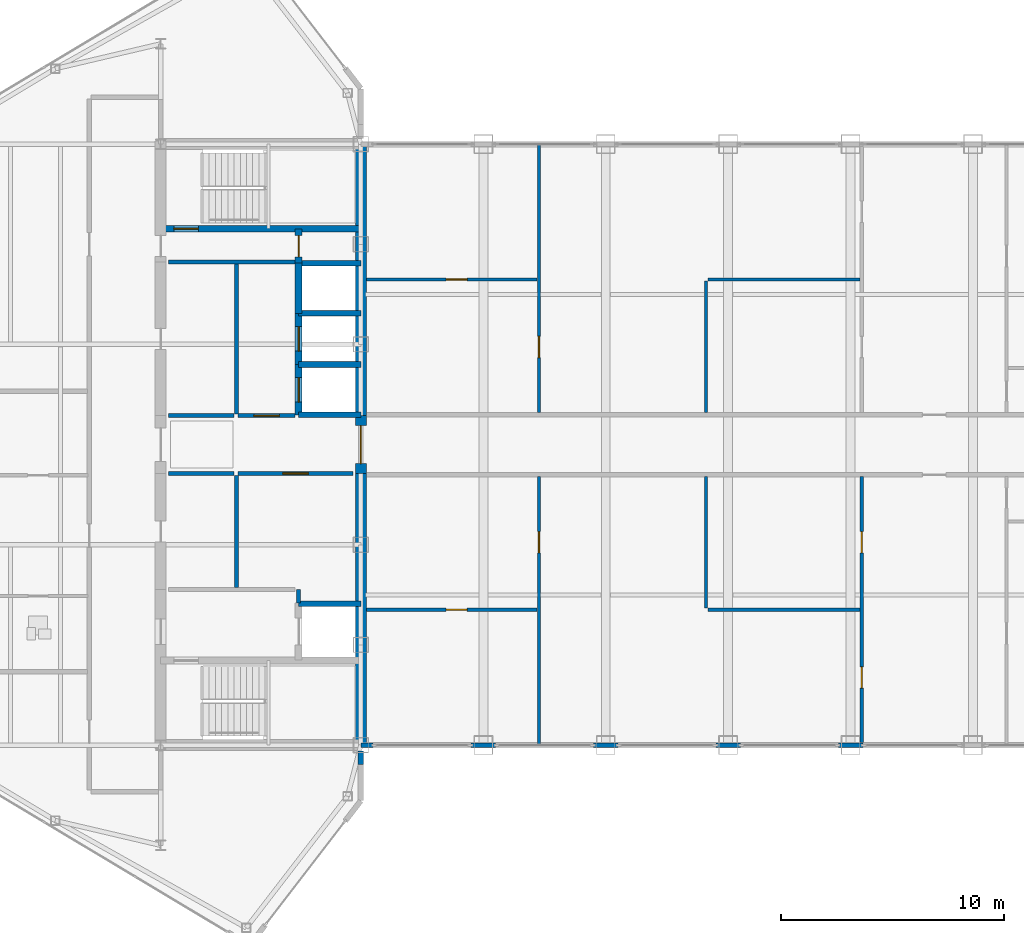
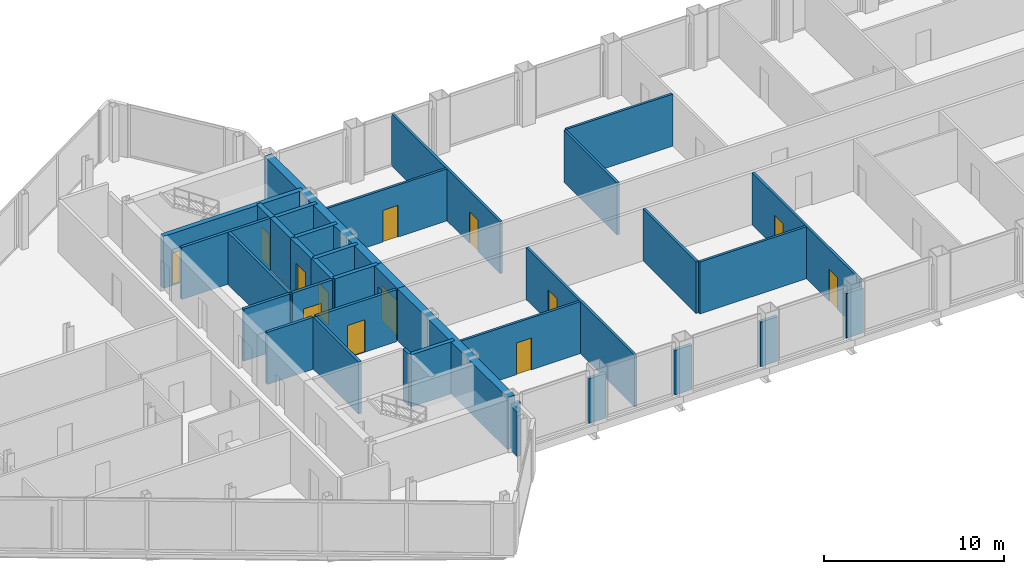
# One storey, part 22 of 29: 36 walls, 13 doors, 13 openings.
"""IFC4 building model written with IfcOpenShell, lengths in metres."""

from ifc_helpers import new_model, si_unit, direction, frame, frame_2d, origin, place, context, subcontext, project, spatial, rectangle, extrude, source, transform, mapped, material, layer, layer_set, type_object, type_shapes, element, fill, save


model = new_model("IFC4")

# Units and contexts
model_context = context("Model", 3, precision=1e-05, world=origin(), true_north=direction((0.0, 1.0)))
body_context = subcontext(model_context, "Body", "Model", "MODEL_VIEW")
ifc_project = project(units=[si_unit("LENGTHUNIT", "METRE"), si_unit("AREAUNIT", "SQUARE_METRE"), si_unit("VOLUMEUNIT", "CUBIC_METRE"), si_unit("PLANEANGLEUNIT", "RADIAN"), si_unit("MASSUNIT", "GRAM", prefix="KILO")], contexts=[model_context])

# Site, building, storey
site_placement = place(None, origin())
site = spatial("IfcSite", under=ifc_project, at=site_placement, CompositionType="ELEMENT")
building_placement = place(site_placement, origin())
building = spatial("IfcBuilding", under=site, at=building_placement, Name="Seokmaru Belvedere", CompositionType="ELEMENT")
storey_placement = place(building_placement, frame((0.0, 0.0, 246.89990234375)))
storey = spatial("IfcBuildingStorey", under=building, at=storey_placement, Name="L65", CompositionType="ELEMENT", Elevation=246.89990234375)

# Wall, opening, door
ifc_material_1 = material(Name="Fire-Rated Gypsum Shaftwall")
ifc_layer_1 = layer(ifc_material_1, 0.14990234375)
ifc_layer_set_1 = layer_set([ifc_layer_1], Name="Fire-Rated Gypsum Shaftwall")
wall_type_1 = type_object("IfcWallType", Name="Apartment Fire-Acoustic Room Partition 150", PredefinedType="PARTITIONING", material=ifc_layer_set_1)
wall_1_placement = place(storey_placement, frame((-27.2451171875, -7.419921875, 0.0), z_axis=(0.0, 0.0, 1.0), x_axis=(1.0, 0.0, 0.0)))
wall_1 = element("IfcWall", 1, at=wall_1_placement, inside=storey, type_object=wall_type_1, Name="L65 Interior Partition 005", PredefinedType="PARTITIONING", context=body_context, shape_type="SweptSolid", body=[
    extrude(rectangle(XDim=7.66015625, YDim=0.14990234375, at=frame_2d((3.830078125, 0.0))), origin(), (0.0, 0.0, 1.0), 3.530029296875),
])
opening_1_placement = place(wall_1_placement, frame((3.570068359375, 0.0, 0.0)))
opening_1 = element("IfcOpeningElement", 2, at=opening_1_placement, cuts=wall_1, Name="Opening D05", PredefinedType="OPENING", context=body_context, shape_type="SweptSolid", body=[
    extrude(rectangle(XDim=0.949951171875, YDim=2.14990234375, at=frame_2d((0.47509765625, 1.074951171875))), frame((0.0, 0.0849609375, 0.0), z_axis=(0.0, -1.0, 0.0), x_axis=(1.0, 0.0, 0.0)), (0.0, 0.0, 1.0), 0.169921875),
])
ifc_material_2 = material(Name="Engineered White Oak Timber", Category="wood")
door_type_1 = type_object("IfcDoorType", Name="Apartment Interior Fire-Rated Oak Door 950x2150", OperationType="NOTDEFINED", PredefinedType="DOOR", material=ifc_material_2)
shared_shape_1 = source(origin(), body_context, "Body", "SweptSolid", [
    extrude(rectangle(XDim=0.949951171875, YDim=2.14990234375, at=frame_2d((0.47509765625, 1.074951171875))), frame((0.0, 0.02490234375, 0.0), z_axis=(0.0, -1.0, 0.0), x_axis=(1.0, 0.0, 0.0)), (0.0, 0.0, 1.0), 0.050048828125),
])
type_shapes(door_type_1, [shared_shape_1])
door_1_placement = place(opening_1_placement, origin())
door_1 = element("IfcDoor", 3, at=door_1_placement, inside=storey, type_object=door_type_1, Name="L65 Interior Door 032", OperationType="SINGLE_SWING_RIGHT", OverallHeight=2.14990234375, OverallWidth=0.949951171875, PredefinedType="DOOR", context=body_context, shape_type="MappedRepresentation", body=[
    mapped(shared_shape_1, transform((0.0, 0.0, 0.0), scale=1.0)),
])
fill(opening_1, door_1)

# Wall
wall_2_placement = place(storey_placement, frame((-11.9150390625, -7.419921875, 0.0), z_axis=(0.0, 0.0, 1.0), x_axis=(1.0, 0.0, 0.0)))
element("IfcWall", 4, at=wall_2_placement, inside=storey, type_object=wall_type_1, Name="L65 Interior Partition 006", PredefinedType="PARTITIONING", context=body_context, shape_type="SweptSolid", body=[
    extrude(rectangle(XDim=6.830078125, YDim=0.14990234375, at=frame_2d((3.4150390625, 0.0))), origin(), (0.0, 0.0, 1.0), 3.530029296875),
])

# Wall, opening, door
wall_3_placement = place(storey_placement, frame((-27.2451171875, 7.419921875, 0.0), z_axis=(0.0, 0.0, 1.0), x_axis=(1.0, 0.0, 0.0)))
wall_3 = element("IfcWall", 5, at=wall_3_placement, inside=storey, type_object=wall_type_1, Name="L65 Interior Partition 022", PredefinedType="PARTITIONING", context=body_context, shape_type="SweptSolid", body=[
    extrude(rectangle(XDim=7.66015625, YDim=0.14990234375, at=frame_2d((3.830078125, 0.0))), origin(), (0.0, 0.0, 1.0), 3.530029296875),
])
opening_2_placement = place(wall_3_placement, frame((3.570068359375, 0.0, 0.0)))
opening_2 = element("IfcOpeningElement", 6, at=opening_2_placement, cuts=wall_3, Name="Opening D05", PredefinedType="OPENING", context=body_context, shape_type="SweptSolid", body=[
    extrude(rectangle(XDim=0.949951171875, YDim=2.14990234375, at=frame_2d((0.47509765625, 1.074951171875))), frame((0.0, 0.0849609375, 0.0), z_axis=(0.0, -1.0, 0.0), x_axis=(1.0, 0.0, 0.0)), (0.0, 0.0, 1.0), 0.169921875),
])
door_2_placement = place(opening_2_placement, origin())
door_2 = element("IfcDoor", 7, at=door_2_placement, inside=storey, type_object=door_type_1, Name="L65 Interior Door 043", OperationType="SINGLE_SWING_RIGHT", OverallHeight=2.14990234375, OverallWidth=0.949951171875, PredefinedType="DOOR", context=body_context, shape_type="MappedRepresentation", body=[
    mapped(shared_shape_1, transform((0.0, 0.0, 0.0), scale=1.0)),
])
fill(opening_2, door_2)

# Wall
wall_4_placement = place(storey_placement, frame((-11.9150390625, 7.419921875, 0.0), z_axis=(0.0, 0.0, 1.0), x_axis=(1.0, 0.0, 0.0)))
element("IfcWall", 8, at=wall_4_placement, inside=storey, type_object=wall_type_1, Name="L65 Interior Partition 023", PredefinedType="PARTITIONING", context=body_context, shape_type="SweptSolid", body=[
    extrude(rectangle(XDim=6.830078125, YDim=0.14990234375, at=frame_2d((3.4150390625, 0.0))), origin(), (0.0, 0.0, 1.0), 3.530029296875),
])

# Wall, opening, door
wall_5_placement = place(storey_placement, frame((-19.5, -13.5, 0.0), z_axis=(0.0, 0.0, 1.0), x_axis=(0.0, 1.0, 0.0)))
wall_5 = element("IfcWall", 9, at=wall_5_placement, inside=storey, type_object=wall_type_1, Name="L65 Interior Partition 034", PredefinedType="PARTITIONING", context=body_context, shape_type="SweptSolid", body=[
    extrude(rectangle(XDim=12.06494140625, YDim=0.14990234375, at=frame_2d((6.032470703125, 0.0))), origin(), (0.0, 0.0, 1.0), 3.530029296875),
])
opening_3_placement = place(wall_5_placement, frame((8.637451171875, 0.0, 0.0)))
opening_3 = element("IfcOpeningElement", 10, at=opening_3_placement, cuts=wall_5, Name="Opening D05", PredefinedType="OPENING", context=body_context, shape_type="SweptSolid", body=[
    extrude(rectangle(XDim=0.949951171875, YDim=2.14990234375, at=frame_2d((0.47509765625, 1.074951171875))), frame((0.0, 0.0849609375, 0.0), z_axis=(0.0, -1.0, 0.0), x_axis=(1.0, 0.0, 0.0)), (0.0, 0.0, 1.0), 0.169921875),
])
door_3_placement = place(opening_3_placement, origin())
door_3 = element("IfcDoor", 11, at=door_3_placement, inside=storey, type_object=door_type_1, Name="L65 Interior Door 031", OperationType="SINGLE_SWING_LEFT", OverallHeight=2.14990234375, OverallWidth=0.949951171875, PredefinedType="DOOR", context=body_context, shape_type="MappedRepresentation", body=[
    mapped(shared_shape_1, transform((0.0, 0.0, 0.0), scale=1.0)),
])
fill(opening_3, door_3)

wall_6_placement = place(storey_placement, frame((-19.5, 1.43505859375, 0.0), z_axis=(0.0, 0.0, 1.0), x_axis=(0.0, 1.0, 0.0)))
wall_6 = element("IfcWall", 12, at=wall_6_placement, inside=storey, type_object=wall_type_1, Name="L65 Interior Partition 035", PredefinedType="PARTITIONING", context=body_context, shape_type="SweptSolid", body=[
    extrude(rectangle(XDim=12.06494140625, YDim=0.14990234375, at=frame_2d((6.032470703125, 0.0))), origin(), (0.0, 0.0, 1.0), 3.530029296875),
])
opening_4_placement = place(wall_6_placement, frame((2.4775390625, 0.0, 0.0)))
opening_4 = element("IfcOpeningElement", 13, at=opening_4_placement, cuts=wall_6, Name="Opening D05", PredefinedType="OPENING", context=body_context, shape_type="SweptSolid", body=[
    extrude(rectangle(XDim=0.949951171875, YDim=2.14990234375, at=frame_2d((0.47509765625, 1.074951171875))), frame((0.0, 0.0849609375, 0.0), z_axis=(0.0, -1.0, 0.0), x_axis=(1.0, 0.0, 0.0)), (0.0, 0.0, 1.0), 0.169921875),
])
door_4_placement = place(opening_4_placement, origin())
door_4 = element("IfcDoor", 14, at=door_4_placement, inside=storey, type_object=door_type_1, Name="L65 Interior Door 042", OperationType="SINGLE_SWING_LEFT", OverallHeight=2.14990234375, OverallWidth=0.949951171875, PredefinedType="DOOR", context=body_context, shape_type="MappedRepresentation", body=[
    mapped(shared_shape_1, transform((0.0, 0.0, 0.0), scale=1.0)),
])
fill(opening_4, door_4)

# Walls
for number, where, z_axis, x_axis, name in (
    (15, (-12.0, -7.340087890625, 0.0), (0.0, 0.0, 1.0), (0.0, 1.0, 0.0), "L65 Interior Partition 036"),
    (16, (-12.0, 1.43505859375, 0.0), (0.0, 0.0, 1.0), (0.0, 1.0, 0.0), "L65 Interior Partition 037"),
):
    element("IfcWall", number, at=place(storey_placement, frame(where, z_axis=z_axis, x_axis=x_axis)), inside=storey, type_object=wall_type_1, Name=name, PredefinedType="PARTITIONING", context=body_context, shape_type="SweptSolid", body=[
        extrude(rectangle(XDim=5.905029296875, YDim=0.14990234375, at=frame_2d((2.95263671875, 0.0))), origin(), (0.0, 0.0, 1.0), 3.530029296875),
    ])

# Wall, openings, doors
wall_7_placement = place(storey_placement, frame((-5.0, -13.389892578125, 0.0), z_axis=(0.0, 0.0, 1.0), x_axis=(0.0, 1.0, 0.0)))
wall_7 = element("IfcWall", 17, at=wall_7_placement, inside=storey, type_object=wall_type_1, Name="L65 Interior Partition 038", PredefinedType="PARTITIONING", context=body_context, shape_type="SweptSolid", body=[
    extrude(rectangle(XDim=11.954833984375, YDim=0.14990234375, at=frame_2d((5.9775390625, 0.0))), origin(), (0.0, 0.0, 1.0), 3.530029296875),
])
opening_5_placement = place(wall_7_placement, frame((8.527587890625, 0.0, 0.0)))
opening_5 = element("IfcOpeningElement", 18, at=opening_5_placement, cuts=wall_7, Name="Opening D05", PredefinedType="OPENING", context=body_context, shape_type="SweptSolid", body=[
    extrude(rectangle(XDim=0.949951171875, YDim=2.14990234375, at=frame_2d((0.47509765625, 1.074951171875))), frame((0.0, 0.0849609375, 0.0), z_axis=(0.0, -1.0, 0.0), x_axis=(1.0, 0.0, 0.0)), (0.0, 0.0, 1.0), 0.169921875),
])
opening_6_placement = place(wall_7_placement, frame((2.452392578125, 0.0, 0.0)))
opening_6 = element("IfcOpeningElement", 19, at=opening_6_placement, cuts=wall_7, Name="Opening D05", PredefinedType="OPENING", context=body_context, shape_type="SweptSolid", body=[
    extrude(rectangle(XDim=0.949951171875, YDim=2.14990234375, at=frame_2d((0.47509765625, 1.074951171875))), frame((0.0, 0.0849609375, 0.0), z_axis=(0.0, -1.0, 0.0), x_axis=(1.0, 0.0, 0.0)), (0.0, 0.0, 1.0), 0.169921875),
])
door_5_placement = place(opening_5_placement, origin())
door_5 = element("IfcDoor", 20, at=door_5_placement, inside=storey, type_object=door_type_1, Name="L65 Interior Door 029", OperationType="SINGLE_SWING_LEFT", OverallHeight=2.14990234375, OverallWidth=0.949951171875, PredefinedType="DOOR", context=body_context, shape_type="MappedRepresentation", body=[
    mapped(shared_shape_1, transform((0.0, 0.0, 0.0), scale=1.0)),
])
fill(opening_5, door_5)
door_6_placement = place(opening_6_placement, origin())
door_6 = element("IfcDoor", 21, at=door_6_placement, inside=storey, type_object=door_type_1, Name="L65 Interior Door 030", OperationType="SINGLE_SWING_RIGHT", OverallHeight=2.14990234375, OverallWidth=0.949951171875, PredefinedType="DOOR", context=body_context, shape_type="MappedRepresentation", body=[
    mapped(shared_shape_1, transform((0.0, 0.0, 0.0), scale=1.0)),
])
fill(opening_6, door_6)

# Walls
ifc_material_3 = material(Name="Anodised Bronze Aluminium", Category="aluminium")
ifc_layer_2 = layer(ifc_material_3, 0.2099609375)
ifc_layer_set_2 = layer_set([ifc_layer_2], Name="Anodised Bronze Aluminium")
wall_type_2 = type_object("IfcWallType", Name="Bridge Column Spandrel Closure Pier 210", PredefinedType="SOLIDWALL", material=ifc_layer_set_2)
wall_8_placement = place(storey_placement, frame((-27.489990234375, -13.5, 0.0), z_axis=(0.0, 0.0, 1.0), x_axis=(1.0, 0.0, 0.0)))
element("IfcWall", 22, at=wall_8_placement, inside=storey, type_object=wall_type_2, Name="L65 Bridge South Column Closure Pier 01", PredefinedType="SOLIDWALL", context=body_context, shape_type="SweptSolid", body=[
    extrude(rectangle(XDim=0.5400390625, YDim=0.2099609375, at=frame_2d((0.27001953125, 0.0))), origin(), (0.0, 0.0, 1.0), 3.030029296875),
])
for number, where, z_axis, x_axis, name in (
    (23, (-22.550048828125, -13.5, 0.0), (0.0, 0.0, 1.0), (1.0, 0.0, 0.0), "L65 Bridge South Column Closure Pier 02"),
    (24, (-17.050048828125, -13.5, 0.0), (0.0, 0.0, 1.0), (1.0, 0.0, 0.0), "L65 Bridge South Column Closure Pier 03"),
    (25, (-11.550048828125, -13.5, 0.0), (0.0, 0.0, 1.0), (1.0, 0.0, 0.0), "L65 Bridge South Column Closure Pier 04"),
    (26, (-6.050048828125, -13.5, 0.0), (0.0, 0.0, 1.0), (1.0, 0.0, 0.0), "L65 Bridge South Column Closure Pier 05"),
):
    element("IfcWall", number, at=place(storey_placement, frame(where, z_axis=z_axis, x_axis=x_axis)), inside=storey, type_object=wall_type_2, Name=name, PredefinedType="SOLIDWALL", context=body_context, shape_type="SweptSolid", body=[
        extrude(rectangle(XDim=1.10009765625, YDim=0.2099609375, at=frame_2d((0.550048828125, 0.0))), origin(), (0.0, 0.0, 1.0), 3.030029296875),
    ])
ifc_layer_3 = layer(ifc_material_1, 0.179931640625)
ifc_layer_set_3 = layer_set([ifc_layer_3], Name="Fire-Rated Gypsum Shaftwall")
wall_type_3 = type_object("IfcWallType", Name="Core Service Fire Partition 180", PredefinedType="PARTITIONING", material=ifc_layer_set_3)
wall_9_placement = place(storey_placement, frame((-30.300048828125, -7.1201171875, 0.0), z_axis=(0.0, 0.0, 1.0), x_axis=(0.0, 1.0, 0.0)))
element("IfcWall", 27, at=wall_9_placement, inside=storey, type_object=wall_type_3, Name="L65 West Firefighting Lobby East Closure Wall", PredefinedType="PARTITIONING", context=body_context, shape_type="SweptSolid", body=[
    extrude(rectangle(XDim=0.6201171875, YDim=0.179931640625, at=frame_2d((0.31005859375, 0.0))), origin(), (0.0, 0.0, 1.0), 3.530029296875),
])
wall_10_placement = place(storey_placement, frame((-36.14990234375, 8.199951171875, 0.0), z_axis=(0.0, 0.0, 1.0), x_axis=(1.0, 0.0, 0.0)))
element("IfcWall", 28, at=wall_10_placement, inside=storey, type_object=wall_type_3, Name="L65 West Smokeproof Vestibule Partition", PredefinedType="PARTITIONING", context=body_context, shape_type="SweptSolid", body=[
    extrude(rectangle(XDim=5.699951171875, YDim=0.179931640625, at=frame_2d((2.85009765625, 0.0))), origin(), (0.0, 0.0, 1.0), 3.530029296875),
])
wall_11_placement = place(storey_placement, frame((-33.10009765625, -6.419921875, 0.0), z_axis=(0.0, 0.0, 1.0), x_axis=(0.0, 1.0, 0.0)))
element("IfcWall", 29, at=wall_11_placement, inside=storey, type_object=wall_type_3, Name="L65 West South Core Service Back Wall", PredefinedType="PARTITIONING", context=body_context, shape_type="SweptSolid", body=[
    extrude(rectangle(XDim=5.0400390625, YDim=0.179931640625, at=frame_2d((2.52001953125, 0.0))), origin(), (0.0, 0.0, 1.0), 3.530029296875),
])
wall_12_placement = place(storey_placement, frame((-33.10009765625, 1.3798828125, 0.0), z_axis=(0.0, 0.0, 1.0), x_axis=(0.0, 1.0, 0.0)))
element("IfcWall", 30, at=wall_12_placement, inside=storey, type_object=wall_type_3, Name="L65 West North Core Service Back Wall", PredefinedType="PARTITIONING", context=body_context, shape_type="SweptSolid", body=[
    extrude(rectangle(XDim=6.740234375, YDim=0.179931640625, at=frame_2d((3.3701171875, 0.0))), origin(), (0.0, 0.0, 1.0), 3.530029296875),
])

# Wall, opening, door
wall_13_placement = place(storey_placement, frame((-33.02001953125, -1.300048828125, 0.0), z_axis=(0.0, 0.0, 1.0), x_axis=(1.0, 0.0, 0.0)))
wall_13 = element("IfcWall", 31, at=wall_13_placement, inside=storey, type_object=wall_type_3, Name="L65 West South Lift Lobby Foyer Wall", PredefinedType="PARTITIONING", context=body_context, shape_type="SweptSolid", body=[
    extrude(rectangle(XDim=5.169921875, YDim=0.179931640625, at=frame_2d((2.5849609375, 0.0))), origin(), (0.0, 0.0, 1.0), 3.530029296875),
])
opening_7_placement = place(wall_13_placement, frame((2.010009765625, 0.0, 0.0)))
opening_7 = element("IfcOpeningElement", 32, at=opening_7_placement, cuts=wall_13, Name="Opening D02", PredefinedType="OPENING", context=body_context, shape_type="SweptSolid", body=[
    extrude(rectangle(XDim=1.14990234375, YDim=2.199951171875, at=frame_2d((0.574951171875, 1.10009765625))), frame((0.0, 0.10009765625, 0.0), z_axis=(0.0, -1.0, 0.0), x_axis=(1.0, 0.0, 0.0)), (0.0, 0.0, 1.0), 0.199951171875),
])
ifc_material_4 = material(Name="Fire-Rated Steel Leaf", Category="steel")
door_type_2 = type_object("IfcDoorType", Name="Lobby and Vestibule Fire Door 1150x2200", OperationType="NOTDEFINED", PredefinedType="DOOR", material=ifc_material_4)
shared_shape_2 = source(origin(), body_context, "Body", "SweptSolid", [
    extrude(rectangle(XDim=1.14990234375, YDim=2.199951171875, at=frame_2d((0.574951171875, 1.10009765625))), frame((0.0, 0.02490234375, 0.0), z_axis=(0.0, -1.0, 0.0), x_axis=(1.0, 0.0, 0.0)), (0.0, 0.0, 1.0), 0.050048828125),
])
type_shapes(door_type_2, [shared_shape_2])
door_7_placement = place(opening_7_placement, origin())
door_7 = element("IfcDoor", 33, at=door_7_placement, inside=storey, type_object=door_type_2, Name="L65 West South Core Foyer Door", OperationType="SINGLE_SWING_LEFT", OverallHeight=2.199951171875, OverallWidth=1.14990234375, PredefinedType="DOOR", context=body_context, shape_type="MappedRepresentation", body=[
    mapped(shared_shape_2, transform((0.0, 0.0, 0.0), scale=1.0)),
])
fill(opening_7, door_7)

wall_14_placement = place(storey_placement, frame((-33.02001953125, 1.300048828125, 0.0), z_axis=(0.0, 0.0, 1.0), x_axis=(1.0, 0.0, 0.0)))
wall_14 = element("IfcWall", 34, at=wall_14_placement, inside=storey, type_object=wall_type_3, Name="L65 West North Lift Lobby Foyer Wall", PredefinedType="PARTITIONING", context=body_context, shape_type="SweptSolid", body=[
    extrude(rectangle(XDim=2.570068359375, YDim=0.179931640625, at=frame_2d((1.28515625, 0.0))), origin(), (0.0, 0.0, 1.0), 3.530029296875),
])
opening_8_placement = place(wall_14_placement, frame((0.7099609375, 0.0, 0.0)))
opening_8 = element("IfcOpeningElement", 35, at=opening_8_placement, cuts=wall_14, Name="Opening D02", PredefinedType="OPENING", context=body_context, shape_type="SweptSolid", body=[
    extrude(rectangle(XDim=1.14990234375, YDim=2.199951171875, at=frame_2d((0.574951171875, 1.10009765625))), frame((0.0, 0.10009765625, 0.0), z_axis=(0.0, -1.0, 0.0), x_axis=(1.0, 0.0, 0.0)), (0.0, 0.0, 1.0), 0.199951171875),
])
door_8_placement = place(opening_8_placement, origin())
door_8 = element("IfcDoor", 36, at=door_8_placement, inside=storey, type_object=door_type_2, Name="L65 West North Lift Lobby Door", OperationType="SINGLE_SWING_RIGHT", OverallHeight=2.199951171875, OverallWidth=1.14990234375, PredefinedType="DOOR", context=body_context, shape_type="MappedRepresentation", body=[
    mapped(shared_shape_2, transform((0.0, 0.0, 0.0), scale=1.0)),
])
fill(opening_8, door_8)

# Walls
for number, where, z_axis, x_axis, name in (
    (37, (-36.14990234375, -1.300048828125, 0.0), (0.0, 0.0, 1.0), (1.0, 0.0, 0.0), "L65 West Foyer Side Wall S"),
    (38, (-36.14990234375, 1.300048828125, 0.0), (0.0, 0.0, 1.0), (1.0, 0.0, 0.0), "L65 West Foyer Side Wall N"),
):
    element("IfcWall", number, at=place(storey_placement, frame(where, z_axis=z_axis, x_axis=x_axis)), inside=storey, type_object=wall_type_3, Name=name, PredefinedType="PARTITIONING", context=body_context, shape_type="SweptSolid", body=[
        extrude(rectangle(XDim=2.949951171875, YDim=0.179931640625, at=frame_2d((1.47509765625, 0.0))), origin(), (0.0, 0.0, 1.0), 3.530029296875),
    ])
ifc_material_5 = material(Name="Concrete C50 (50 MPa)", Category="concrete")
ifc_layer_4 = layer(ifc_material_5, 0.25)
ifc_layer_set_4 = layer_set([ifc_layer_4], Name="Concrete C50 (50 MPa)")
wall_type_4 = type_object("IfcWallType", Name="Hoistway Transverse Concrete Divider Wall 250", PredefinedType="SHEAR", material=ifc_layer_set_4)
for number, where, z_axis, x_axis, name in (
    (39, (-30.300048828125, -7.14990234375, 0.0), (0.0, 0.0, 1.0), (1.0, 0.0, 0.0), "L65 West Hoistway Divider Core Wall 1"),
    (40, (-30.300048828125, 1.35009765625, 0.0), (0.0, 0.0, 1.0), (1.0, 0.0, 0.0), "L65 West Hoistway Divider Core Wall 2"),
    (41, (-30.300048828125, 3.60009765625, 0.0), (0.0, 0.0, 1.0), (1.0, 0.0, 0.0), "L65 West Hoistway Divider Core Wall 3"),
    (42, (-30.300048828125, 5.89990234375, 0.0), (0.0, 0.0, 1.0), (1.0, 0.0, 0.0), "L65 West Hoistway Divider Core Wall 4"),
    (43, (-30.300048828125, 8.14990234375, 0.0), (0.0, 0.0, 1.0), (1.0, 0.0, 0.0), "L65 West Hoistway Divider Core Wall 5"),
):
    element("IfcWall", number, at=place(storey_placement, frame(where, z_axis=z_axis, x_axis=x_axis)), inside=storey, type_object=wall_type_4, Name=name, PredefinedType="SHEAR", context=body_context, shape_type="SweptSolid", body=[
        extrude(rectangle(XDim=2.800048828125, YDim=0.25, at=frame_2d((1.39990234375, 0.0))), origin(), (0.0, 0.0, 1.0), 3.530029296875),
    ])

# Wall, opening, door
ifc_layer_5 = layer(ifc_material_5, 0.300048828125)
ifc_layer_set_5 = layer_set([ifc_layer_5], Name="Concrete C50 (50 MPa)")
wall_type_5 = type_object("IfcWallType", Name="Internal Core Stair and Hoistway Wall 300", PredefinedType="SHEAR", material=ifc_layer_set_5)
wall_15_placement = place(storey_placement, frame((-36.5, 9.699951171875, 0.0), z_axis=(0.0, 0.0, 1.0), x_axis=(1.0, 0.0, 0.0)))
wall_15 = element("IfcWall", 44, at=wall_15_placement, inside=storey, type_object=wall_type_5, Name="L65 West Stair ST-2 Enclosure Wall", PredefinedType="SHEAR", context=body_context, shape_type="SweptSolid", body=[
    extrude(rectangle(XDim=9.0, YDim=0.300048828125, at=frame_2d((4.5, 0.0))), origin(), (0.0, 0.0, 1.0), 3.530029296875),
])
opening_9_placement = place(wall_15_placement, frame((0.60009765625, 0.0, 0.0)))
opening_9 = element("IfcOpeningElement", 45, at=opening_9_placement, cuts=wall_15, Name="Opening D01", PredefinedType="OPENING", context=body_context, shape_type="SweptSolid", body=[
    extrude(rectangle(XDim=1.10009765625, YDim=2.199951171875, at=frame_2d((0.550048828125, 1.10009765625))), frame((0.0, 0.16015625, 0.0), z_axis=(0.0, -1.0, 0.0), x_axis=(1.0, 0.0, 0.0)), (0.0, 0.0, 1.0), 0.320068359375),
])
door_type_3 = type_object("IfcDoorType", Name="Special Escape Stair Smokeproof Fire Door 1100x2200", OperationType="NOTDEFINED", PredefinedType="DOOR", material=ifc_material_4)
shared_shape_3 = source(origin(), body_context, "Body", "SweptSolid", [
    extrude(rectangle(XDim=1.10009765625, YDim=2.199951171875, at=frame_2d((0.550048828125, 1.10009765625))), frame((0.0, 0.02490234375, 0.0), z_axis=(0.0, -1.0, 0.0), x_axis=(1.0, 0.0, 0.0)), (0.0, 0.0, 1.0), 0.050048828125),
])
type_shapes(door_type_3, [shared_shape_3])
door_9_placement = place(opening_9_placement, origin())
door_9 = element("IfcDoor", 46, at=door_9_placement, inside=storey, type_object=door_type_3, Name="L65 West Special Escape Stair ST-2 Door", OperationType="SINGLE_SWING_RIGHT", OverallHeight=2.199951171875, OverallWidth=1.10009765625, PredefinedType="DOOR", context=body_context, shape_type="MappedRepresentation", body=[
    mapped(shared_shape_3, transform((0.0, 0.0, 0.0), scale=1.0)),
])
fill(opening_9, door_9)

wall_16_placement = place(storey_placement, frame((-30.300048828125, 1.320068359375, 0.0), z_axis=(0.0, 0.0, 1.0), x_axis=(0.0, 1.0, 0.0)))
wall_16 = element("IfcWall", 47, at=wall_16_placement, inside=storey, type_object=wall_type_5, Name="L65 West North Hoistway Wall PH1", PredefinedType="SHEAR", context=body_context, shape_type="SweptSolid", body=[
    extrude(rectangle(XDim=2.280029296875, YDim=0.300048828125, at=frame_2d((1.14013671875, 0.0))), origin(), (0.0, 0.0, 1.0), 3.530029296875),
])
opening_10_placement = place(wall_16_placement, frame((0.590087890625, 0.0, 0.0)))
opening_10 = element("IfcOpeningElement", 48, at=opening_10_placement, cuts=wall_16, Name="Opening LD1", PredefinedType="OPENING", context=body_context, shape_type="SweptSolid", body=[
    extrude(rectangle(XDim=1.10009765625, YDim=2.199951171875, at=frame_2d((0.550048828125, 1.10009765625))), frame((0.0, 0.16015625, 0.0), z_axis=(0.0, -1.0, 0.0), x_axis=(1.0, 0.0, 0.0)), (0.0, 0.0, 1.0), 0.320068359375),
])
ifc_material_6 = material(Name="Stainless Steel 316", Category="steel")
door_type_4 = type_object("IfcDoorType", Name="Passenger Lift Sliding Landing Door 1100x2200", OperationType="DOUBLE_DOOR_SLIDING", PredefinedType="DOOR", material=ifc_material_6)
shared_shape_4 = source(origin(), body_context, "Body", "SweptSolid", [
    extrude(rectangle(XDim=1.10009765625, YDim=2.199951171875, at=frame_2d((0.550048828125, 1.10009765625))), frame((0.0, 0.02490234375, 0.0), z_axis=(0.0, -1.0, 0.0), x_axis=(1.0, 0.0, 0.0)), (0.0, 0.0, 1.0), 0.050048828125),
])
type_shapes(door_type_4, [shared_shape_4])
door_10_placement = place(opening_10_placement, origin())
door_10 = element("IfcDoor", 49, at=door_10_placement, inside=storey, type_object=door_type_4, Name="L65 West High-Rise Lift PH-1 Landing Door", OperationType="DOUBLE_DOOR_SLIDING", OverallHeight=2.199951171875, OverallWidth=1.10009765625, PredefinedType="DOOR", context=body_context, shape_type="MappedRepresentation", body=[
    mapped(shared_shape_4, transform((0.0, 0.0, 0.0), scale=1.0)),
])
fill(opening_10, door_10)

wall_17_placement = place(storey_placement, frame((-30.300048828125, 3.60009765625, 0.0), z_axis=(0.0, 0.0, 1.0), x_axis=(0.0, 1.0, 0.0)))
wall_17 = element("IfcWall", 50, at=wall_17_placement, inside=storey, type_object=wall_type_5, Name="L65 West North Hoistway Wall PH2", PredefinedType="SHEAR", context=body_context, shape_type="SweptSolid", body=[
    extrude(rectangle(XDim=2.2998046875, YDim=0.300048828125, at=frame_2d((1.14990234375, 0.0))), origin(), (0.0, 0.0, 1.0), 3.530029296875),
])
opening_11_placement = place(wall_17_placement, frame((0.60009765625, 0.0, 0.0)))
opening_11 = element("IfcOpeningElement", 51, at=opening_11_placement, cuts=wall_17, Name="Opening LD1", PredefinedType="OPENING", context=body_context, shape_type="SweptSolid", body=[
    extrude(rectangle(XDim=1.10009765625, YDim=2.199951171875, at=frame_2d((0.550048828125, 1.10009765625))), frame((0.0, 0.16015625, 0.0), z_axis=(0.0, -1.0, 0.0), x_axis=(1.0, 0.0, 0.0)), (0.0, 0.0, 1.0), 0.320068359375),
])
door_11_placement = place(opening_11_placement, origin())
door_11 = element("IfcDoor", 52, at=door_11_placement, inside=storey, type_object=door_type_4, Name="L65 West High-Rise Lift PH-2 Landing Door", OperationType="DOUBLE_DOOR_SLIDING", OverallHeight=2.199951171875, OverallWidth=1.10009765625, PredefinedType="DOOR", context=body_context, shape_type="MappedRepresentation", body=[
    mapped(shared_shape_4, transform((0.0, 0.0, 0.0), scale=1.0)),
])
fill(opening_11, door_11)

# Wall
wall_18_placement = place(storey_placement, frame((-30.300048828125, 5.89990234375, 0.0), z_axis=(0.0, 0.0, 1.0), x_axis=(0.0, 1.0, 0.0)))
element("IfcWall", 53, at=wall_18_placement, inside=storey, type_object=wall_type_5, Name="L65 West North Hoistway Wall OBS", PredefinedType="SHEAR", context=body_context, shape_type="SweptSolid", body=[
    extrude(rectangle(XDim=2.25, YDim=0.300048828125, at=frame_2d((1.125, 0.0))), origin(), (0.0, 0.0, 1.0), 3.530029296875),
])

# Wall, opening, door
wall_19_placement = place(storey_placement, frame((-30.300048828125, 8.14990234375, 0.0), z_axis=(0.0, 0.0, 1.0), x_axis=(0.0, 1.0, 0.0)))
wall_19 = element("IfcWall", 54, at=wall_19_placement, inside=storey, type_object=wall_type_5, Name="L65 West Electrical Riser Front Wall", PredefinedType="SHEAR", context=body_context, shape_type="SweptSolid", body=[
    extrude(rectangle(XDim=1.530029296875, YDim=0.300048828125, at=frame_2d((0.76513671875, 0.0))), origin(), (0.0, 0.0, 1.0), 3.530029296875),
])
opening_12_placement = place(wall_19_placement, frame((0.284912109375, 0.0, 0.0)))
opening_12 = element("IfcOpeningElement", 55, at=opening_12_placement, cuts=wall_19, Name="Opening D04", PredefinedType="OPENING", context=body_context, shape_type="SweptSolid", body=[
    extrude(rectangle(XDim=0.949951171875, YDim=2.14990234375, at=frame_2d((0.47509765625, 1.074951171875))), frame((0.0, 0.16015625, 0.0), z_axis=(0.0, -1.0, 0.0), x_axis=(1.0, 0.0, 0.0)), (0.0, 0.0, 1.0), 0.320068359375),
])
door_type_5 = type_object("IfcDoorType", Name="Core Service Room Fire Door 950x2150", OperationType="NOTDEFINED", PredefinedType="DOOR", material=ifc_material_4)
shared_shape_5 = source(origin(), body_context, "Body", "SweptSolid", [
    extrude(rectangle(XDim=0.949951171875, YDim=2.14990234375, at=frame_2d((0.47509765625, 1.074951171875))), frame((0.0, 0.02490234375, 0.0), z_axis=(0.0, -1.0, 0.0), x_axis=(1.0, 0.0, 0.0)), (0.0, 0.0, 1.0), 0.050048828125),
])
type_shapes(door_type_5, [shared_shape_5])
door_12_placement = place(opening_12_placement, origin())
door_12 = element("IfcDoor", 56, at=door_12_placement, inside=storey, type_object=door_type_5, Name="L65 West Electrical Riser Access Door", OperationType="SINGLE_SWING_LEFT", OverallHeight=2.14990234375, OverallWidth=0.949951171875, PredefinedType="DOOR", context=body_context, shape_type="MappedRepresentation", body=[
    mapped(shared_shape_5, transform((0.0, 0.0, 0.0), scale=1.0)),
])
fill(opening_12, door_12)

# Walls
ifc_layer_6 = layer(ifc_material_3, 0.239990234375)
ifc_layer_set_6 = layer_set([ifc_layer_6], Name="Anodised Bronze Aluminium")
wall_type_6 = type_object("IfcWallType", Name="Tower Corner Spandrel Closure Wall 240", PredefinedType="SOLIDWALL", material=ifc_layer_set_6)
wall_20_placement = place(storey_placement, frame((-27.5, -14.374755859375, 0.0), z_axis=(0.0, 0.0, 1.0), x_axis=(0.0, 1.0, 0.0)))
element("IfcWall", 57, at=wall_20_placement, inside=storey, type_object=wall_type_6, Name="L65 W Shoulder Closure Wall 1 Part 2", PredefinedType="SOLIDWALL", context=body_context, shape_type="SweptSolid", body=[
    extrude(rectangle(XDim=0.619873046875, YDim=0.239990234375, at=frame_2d((0.31005859375, 0.0))), origin(), (0.0, 0.0, 1.0), 3.030029296875),
])
ifc_layer_7 = layer(ifc_material_5, 0.5)
ifc_layer_set_7 = layer_set([ifc_layer_7], Name="Concrete C50 (50 MPa)")
wall_type_7 = type_object("IfcWallType", Name="Upper Tower Reinforced Concrete Core Wall 500", PredefinedType="SHEAR", material=ifc_layer_set_7)
for number, where, z_axis, x_axis, name in (
    (58, (-27.5, -13.5, 0.0), (0.0, 0.0, 1.0), (0.0, 1.0, 0.0), "L65 West Portal Spine Core Wall South"),
    (59, (-27.5, 1.300048828125, 0.0), (0.0, 0.0, 1.0), (0.0, 1.0, 0.0), "L65 West Portal Spine Core Wall North"),
):
    element("IfcWall", number, at=place(storey_placement, frame(where, z_axis=z_axis, x_axis=x_axis)), inside=storey, type_object=wall_type_7, Name=name, PredefinedType="SHEAR", context=body_context, shape_type="SweptSolid", body=[
        extrude(rectangle(XDim=12.199951171875, YDim=0.5, at=frame_2d((6.10009765625, 0.0))), origin(), (0.0, 0.0, 1.0), 3.530029296875),
    ])

# Wall, opening, door
wall_21_placement = place(storey_placement, frame((-27.5, -1.300048828125, 0.0), z_axis=(0.0, 0.0, 1.0), x_axis=(0.0, 1.0, 0.0)))
wall_21 = element("IfcWall", 60, at=wall_21_placement, inside=storey, type_object=wall_type_7, Name="L65 West Portal Spine Core Wall Center", PredefinedType="SHEAR", context=body_context, shape_type="SweptSolid", body=[
    extrude(rectangle(XDim=2.60009765625, YDim=0.5, at=frame_2d((1.300048828125, 0.0))), origin(), (0.0, 0.0, 1.0), 3.530029296875),
])
opening_13_placement = place(wall_21_placement, frame((0.449951171875, 0.0, 0.0)))
opening_13 = element("IfcOpeningElement", 61, at=opening_13_placement, cuts=wall_21, Name="Opening D09", PredefinedType="OPENING", context=body_context, shape_type="SweptSolid", body=[
    extrude(rectangle(XDim=1.699951171875, YDim=2.35009765625, at=frame_2d((0.85009765625, 1.175048828125))), frame((0.0, 0.260009765625, 0.0), z_axis=(0.0, -1.0, 0.0), x_axis=(1.0, 0.0, 0.0)), (0.0, 0.0, 1.0), 0.52001953125),
])
door_type_6 = type_object("IfcDoorType", Name="Sky-Gate Bridge Inter-Tower Fire Door 1700x2350", OperationType="DOUBLE_SWING_LEFT", PredefinedType="DOOR", material=ifc_material_4)
shared_shape_6 = source(origin(), body_context, "Body", "SweptSolid", [
    extrude(rectangle(XDim=1.699951171875, YDim=2.35009765625, at=frame_2d((0.85009765625, 1.175048828125))), frame((0.0, 0.02490234375, 0.0), z_axis=(0.0, -1.0, 0.0), x_axis=(1.0, 0.0, 0.0)), (0.0, 0.0, 1.0), 0.050048828125),
])
type_shapes(door_type_6, [shared_shape_6])
door_13_placement = place(opening_13_placement, origin())
door_13 = element("IfcDoor", 62, at=door_13_placement, inside=storey, type_object=door_type_6, Name="L65 West Inter-Tower Fire Door", OperationType="DOUBLE_SWING_LEFT", OverallHeight=2.35009765625, OverallWidth=1.699951171875, PredefinedType="DOOR", context=body_context, shape_type="MappedRepresentation", body=[
    mapped(shared_shape_6, transform((0.0, 0.0, 0.0), scale=1.0)),
])
fill(opening_13, door_13)

save(model, "model.ifc")
